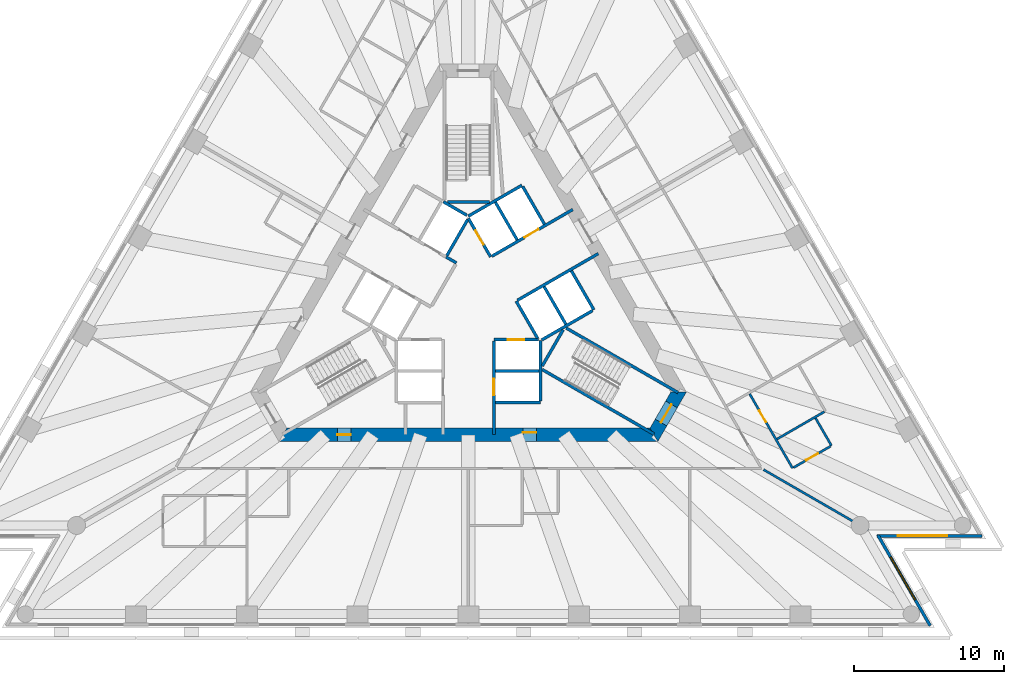
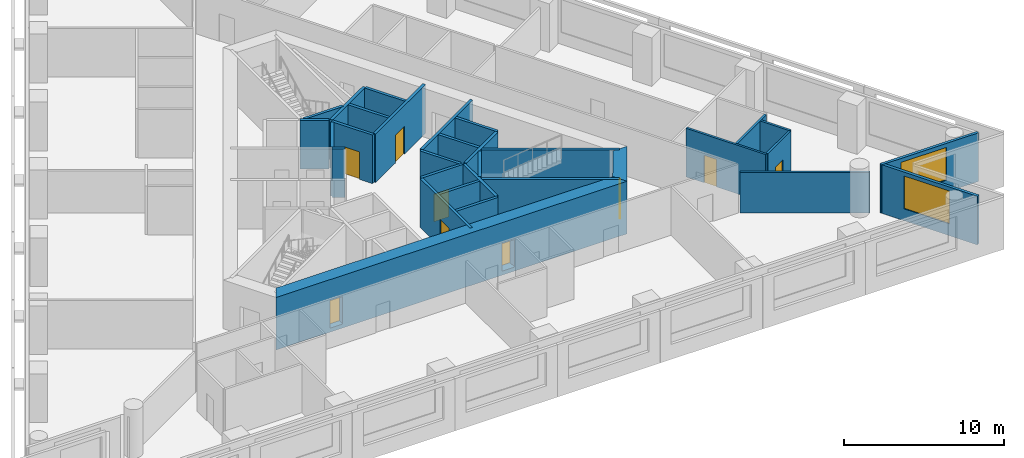
# One storey, part 5 of 11: 31 walls, 9 doors, 2 windows, 11 openings.
"""IFC4 building model written with IfcOpenShell, lengths in metres."""

from ifc_helpers import new_model, si_unit, direction, frame, frame_2d, origin, place, context, subcontext, project, spatial, polyline, rectangle, outline, extrude, material, layer, layer_set, layer_usage, type_object, element, fill, save


model = new_model("IFC4")

# Units and contexts
model_context = context("Model", 3, precision=1e-05, world=origin(), true_north=direction((0.0, 1.0)))
body_context = subcontext(model_context, "Body", "Model", "MODEL_VIEW")
ifc_project = project(units=[si_unit("LENGTHUNIT", "METRE"), si_unit("AREAUNIT", "SQUARE_METRE"), si_unit("VOLUMEUNIT", "CUBIC_METRE"), si_unit("PLANEANGLEUNIT", "RADIAN"), si_unit("MASSUNIT", "GRAM", prefix="KILO")], contexts=[model_context])

# Site, building, storey
site_placement = place(None, origin())
site = spatial("IfcSite", under=ifc_project, at=site_placement, CompositionType="ELEMENT")
building_placement = place(site_placement, origin())
building = spatial("IfcBuilding", under=site, at=building_placement, Name="Triada Interchange Tower", CompositionType="ELEMENT")
storey_placement = place(building_placement, frame((0.0, 0.0, 67.300048828125)))
storey = spatial("IfcBuildingStorey", under=building, at=storey_placement, Name="L14", CompositionType="ELEMENT", Elevation=67.300048828125)

# Walls
ifc_material_1 = material(Name="Concrete C30/37", Category="concrete")
ifc_layer_1 = layer(ifc_material_1, 0.199951171875)
ifc_layer_set_1 = layer_set([ifc_layer_1], Name="CORE WALL 200 EI 120")
wall_type_1 = type_object("IfcWallType", Name="CORE WALL 200 EI 120", PredefinedType="SOLIDWALL", material=ifc_layer_set_1)
wall_1_placement = place(storey_placement, frame((1.800048828125, -4.800048828125, 0.0), z_axis=(0.0, 0.0, 1.0), x_axis=(1.0, 0.0, 0.0)))
element("IfcWall", 1, at=wall_1_placement, inside=storey, type_object=wall_type_1, Name="Wall L12 50", PredefinedType="SOLIDWALL", context=body_context, shape_type="SweptSolid", body=[
    extrude(rectangle(XDim=2.89990234375, YDim=0.199951171875, at=frame_2d((1.449951171875, 0.0))), origin(), (0.0, 0.0, 1.0), 3.699951171875),
])
wall_2_placement = place(storey_placement, frame((1.800048828125, -6.89990234375, 0.0), z_axis=(0.0, 0.0, 1.0), x_axis=(1.0, 0.0, 0.0)))
element("IfcWall", 2, at=wall_2_placement, inside=storey, type_object=wall_type_1, Name="Wall L12 53", PredefinedType="SOLIDWALL", context=body_context, shape_type="SweptSolid", body=[
    extrude(rectangle(XDim=3.0, YDim=0.199951171875, at=frame_2d((1.5, 0.0))), origin(), (0.0, 0.0, 1.0), 3.699951171875),
])

# Wall, opening, door
wall_3_placement = place(storey_placement, frame((1.702880859375, -2.699951171875, 0.0), z_axis=(0.0, 0.0, 1.0), x_axis=(1.0, 0.0, 0.0)))
wall_3 = element("IfcWall", 3, at=wall_3_placement, inside=storey, type_object=wall_type_1, Name="Wall L12 56", PredefinedType="SOLIDWALL", context=body_context, shape_type="SweptSolid", body=[
    extrude(rectangle(XDim=2.97314453125, YDim=0.199951171875, at=frame_2d((1.486572265625, 0.0))), origin(), (0.0, 0.0, 1.0), 3.699951171875),
])
opening_1_placement = place(wall_3_placement, frame((0.93603515625, 0.0, 0.0)))
opening_1 = element("IfcOpeningElement", 4, at=opening_1_placement, cuts=wall_3, Name="Opening LD-LR1", PredefinedType="OPENING", context=body_context, shape_type="SweptSolid", body=[
    extrude(rectangle(XDim=1.10009765625, YDim=2.10009765625, at=frame_2d((0.550048828125, 1.050048828125))), frame((0.0, 0.10986328125, 0.0), z_axis=(0.0, -1.0, 0.0), x_axis=(1.0, 0.0, 0.0)), (0.0, 0.0, 1.0), 0.219970703125),
])
ifc_material_2 = material(Name="Steel S235 door leaf", Category="steel")
door_type_1 = type_object("IfcDoorType", Name="LIFT LANDING DOOR 1100 EI 120", OperationType="SLIDING_TO_LEFT", PredefinedType="DOOR", material=ifc_material_2)
door_1_placement = place(opening_1_placement, origin())
door_1 = element("IfcDoor", 5, at=door_1_placement, inside=storey, type_object=door_type_1, Name="LR1 landing door L14", OperationType="SLIDING_TO_LEFT", OverallHeight=2.10009765625, OverallWidth=1.10009765625, PredefinedType="DOOR", context=body_context, shape_type="SweptSolid", body=[
    extrude(rectangle(XDim=1.10009765625, YDim=2.10009765625, at=frame_2d((0.550048828125, 1.050048828125))), frame((0.0, 0.02490234375, 0.0), z_axis=(0.0, -1.0, 0.0), x_axis=(1.0, 0.0, 0.0)), (0.0, 0.0, 1.0), 0.050048828125),
])
fill(opening_1, door_1)

# Wall
wall_4_placement = place(storey_placement, frame((-0.001953125, 5.541015625, 0.0), z_axis=(0.0, 0.0, 1.0), x_axis=(0.86600155993, 0.500041296494, 0.0)))
element("IfcWall", 6, at=wall_4_placement, inside=storey, type_object=wall_type_1, Name="Wall L12 57", PredefinedType="SOLIDWALL", context=body_context, shape_type="SweptSolid", body=[
    extrude(rectangle(XDim=4.131591796875, YDim=0.199951171875, at=frame_2d((2.06591796875, 0.0))), origin(), (0.0, 0.0, 1.0), 3.699951171875),
])

# Wall, opening, door
wall_5_placement = place(storey_placement, frame((0.0, 5.39990234375, 0.0), z_axis=(0.0, 0.0, 1.0), x_axis=(0.500103862429, -0.865965430478, 0.0)))
wall_5 = element("IfcWall", 7, at=wall_5_placement, inside=storey, type_object=wall_type_1, Name="Wall L12 58", PredefinedType="SOLIDWALL", context=body_context, shape_type="SweptSolid", body=[
    extrude(rectangle(XDim=2.973388671875, YDim=0.199951171875, at=frame_2d((1.48681640625, 0.0))), origin(), (0.0, 0.0, 1.0), 3.699951171875),
])
opening_2_placement = place(wall_5_placement, frame((0.93701171875, 0.0, 0.0)))
opening_2 = element("IfcOpeningElement", 8, at=opening_2_placement, cuts=wall_5, Name="Opening LD-LR5", PredefinedType="OPENING", context=body_context, shape_type="SweptSolid", body=[
    extrude(rectangle(XDim=1.10009765625, YDim=2.10009765625, at=frame_2d((0.550048828125, 1.050048828125))), frame((0.0, 0.10986328125, 0.0), z_axis=(0.0, -1.0, 0.0), x_axis=(1.0, 0.0, 0.0)), (0.0, 0.0, 1.0), 0.219970703125),
])
door_2_placement = place(opening_2_placement, origin())
door_2 = element("IfcDoor", 9, at=door_2_placement, inside=storey, type_object=door_type_1, Name="LR5 landing door L14", OperationType="SLIDING_TO_LEFT", OverallHeight=2.10009765625, OverallWidth=1.10009765625, PredefinedType="DOOR", context=body_context, shape_type="SweptSolid", body=[
    extrude(rectangle(XDim=1.10009765625, YDim=2.10009765625, at=frame_2d((0.550048828125, 1.050048828125))), frame((0.0, 0.02490234375, 0.0), z_axis=(0.0, -1.0, 0.0), x_axis=(1.0, 0.0, 0.0)), (0.0, 0.0, 1.0), 0.050048828125),
])
fill(opening_2, door_2)

# Wall
wall_6_placement = place(storey_placement, frame((3.18994140625, -0.125, 0.0), z_axis=(0.0, 0.0, 1.0), x_axis=(0.499988658015, -0.866031951983, 0.0)))
element("IfcWall", 10, at=wall_6_placement, inside=storey, type_object=wall_type_1, Name="Wall L12 59", PredefinedType="SOLIDWALL", context=body_context, shape_type="SweptSolid", body=[
    extrude(rectangle(XDim=2.85791015625, YDim=0.199951171875, at=frame_2d((1.428955078125, 0.0))), origin(), (0.0, 0.0, 1.0), 3.699951171875),
])

# Wall, opening, door
wall_7_placement = place(storey_placement, frame((1.577880859375, 2.8740234375, 0.0), z_axis=(0.0, 0.0, 1.0), x_axis=(0.866031483044, 0.499989470266, 0.0)))
wall_7 = element("IfcWall", 11, at=wall_7_placement, inside=storey, type_object=wall_type_1, Name="Wall L12 60", PredefinedType="SOLIDWALL", context=body_context, shape_type="SweptSolid", body=[
    extrude(rectangle(XDim=6.226318359375, YDim=0.199951171875, at=frame_2d((3.11328125, 0.0))), origin(), (0.0, 0.0, 1.0), 3.699951171875),
])
opening_3_placement = place(wall_7_placement, frame((2.49609375, 0.0, 0.0)))
opening_3 = element("IfcOpeningElement", 12, at=opening_3_placement, cuts=wall_7, Name="Opening LD-LR6", PredefinedType="OPENING", context=body_context, shape_type="SweptSolid", body=[
    extrude(rectangle(XDim=1.10009765625, YDim=2.10009765625, at=frame_2d((0.550048828125, 1.050048828125))), frame((0.0, 0.10986328125, 0.0), z_axis=(0.0, -1.0, 0.0), x_axis=(1.0, 0.0, 0.0)), (0.0, 0.0, 1.0), 0.219970703125),
])
door_3_placement = place(opening_3_placement, origin())
door_3 = element("IfcDoor", 13, at=door_3_placement, inside=storey, type_object=door_type_1, Name="LR6 landing door L14", OperationType="SLIDING_TO_LEFT", OverallHeight=2.10009765625, OverallWidth=1.10009765625, PredefinedType="DOOR", context=body_context, shape_type="SweptSolid", body=[
    extrude(rectangle(XDim=1.10009765625, YDim=2.10009765625, at=frame_2d((0.550048828125, 1.050048828125))), frame((0.0, 0.02490234375, 0.0), z_axis=(0.0, -1.0, 0.0), x_axis=(1.0, 0.0, 0.0)), (0.0, 0.0, 1.0), 0.050048828125),
])
fill(opening_3, door_3)

wall_8_placement = place(storey_placement, frame((1.699951171875, -9.030029296875, 0.0), z_axis=(0.0, 0.0, 1.0), x_axis=(0.0, 1.0, 0.0)))
wall_8 = element("IfcWall", 14, at=wall_8_placement, inside=storey, type_object=wall_type_1, Name="Wall L12 61", PredefinedType="SOLIDWALL", context=body_context, shape_type="SweptSolid", body=[
    extrude(rectangle(XDim=6.22705078125, YDim=0.199951171875, at=frame_2d((3.113525390625, 0.0))), origin(), (0.0, 0.0, 1.0), 3.699951171875),
])
opening_4_placement = place(wall_8_placement, frame((2.6298828125, 0.0, 0.0)))
opening_4 = element("IfcOpeningElement", 15, at=opening_4_placement, cuts=wall_8, Name="Opening LD-LR2", PredefinedType="OPENING", context=body_context, shape_type="SweptSolid", body=[
    extrude(rectangle(XDim=1.10009765625, YDim=2.10009765625, at=frame_2d((0.550048828125, 1.050048828125))), frame((0.0, 0.10986328125, 0.0), z_axis=(0.0, -1.0, 0.0), x_axis=(1.0, 0.0, 0.0)), (0.0, 0.0, 1.0), 0.219970703125),
])
door_4_placement = place(opening_4_placement, origin())
door_4 = element("IfcDoor", 16, at=door_4_placement, inside=storey, type_object=door_type_1, Name="LR2 landing door L14", OperationType="SLIDING_TO_LEFT", OverallHeight=2.10009765625, OverallWidth=1.10009765625, PredefinedType="DOOR", context=body_context, shape_type="SweptSolid", body=[
    extrude(rectangle(XDim=1.10009765625, YDim=2.10009765625, at=frame_2d((0.550048828125, 1.050048828125))), frame((0.0, 0.02490234375, 0.0), z_axis=(0.0, -1.0, 0.0), x_axis=(1.0, 0.0, 0.0)), (0.0, 0.0, 1.0), 0.050048828125),
])
fill(opening_4, door_4)

# Walls
wall_9_placement = place(storey_placement, frame((4.800048828125, -6.800048828125, 0.0), z_axis=(0.0, 0.0, 1.0), x_axis=(0.0, 1.0, 0.0)))
element("IfcWall", 17, at=wall_9_placement, inside=storey, type_object=wall_type_1, Name="Wall L12 62", PredefinedType="SOLIDWALL", context=body_context, shape_type="SweptSolid", body=[
    extrude(rectangle(XDim=4.029052734375, YDim=0.199951171875, at=frame_2d((2.0146484375, 0.0))), origin(), (0.0, 0.0, 1.0), 3.699951171875),
])
wall_10_placement = place(storey_placement, frame((3.278076171875, -0.071044921875, 0.0), z_axis=(0.0, 0.0, 1.0), x_axis=(0.865953757655, 0.500124074208, 0.0)))
element("IfcWall", 18, at=wall_10_placement, inside=storey, type_object=wall_type_1, Name="Wall L12 63", PredefinedType="SOLIDWALL", context=body_context, shape_type="SweptSolid", body=[
    extrude(rectangle(XDim=6.2265625, YDim=0.199951171875, at=frame_2d((3.11328125, 0.0))), origin(), (0.0, 0.0, 1.0), 3.699951171875),
])
wall_11_placement = place(storey_placement, frame((3.6259765625, 7.52001953125, 0.0), z_axis=(0.0, 0.0, 1.0), x_axis=(0.500060147554, -0.865990674793, 0.0)))
element("IfcWall", 19, at=wall_11_placement, inside=storey, type_object=wall_type_1, Name="Wall L12 64", PredefinedType="SOLIDWALL", context=body_context, shape_type="SweptSolid", body=[
    extrude(rectangle(XDim=2.899658203125, YDim=0.199951171875, at=frame_2d((1.44970703125, 0.0))), origin(), (0.0, 0.0, 1.0), 3.699951171875),
])
wall_12_placement = place(storey_placement, frame((6.8759765625, 1.89111328125, 0.0), z_axis=(0.0, 0.0, 1.0), x_axis=(0.499990139034, -0.866031096941, 0.0)))
element("IfcWall", 20, at=wall_12_placement, inside=storey, type_object=wall_type_1, Name="Wall L12 65", PredefinedType="SOLIDWALL", context=body_context, shape_type="SweptSolid", body=[
    extrude(rectangle(XDim=3.0, YDim=0.199951171875, at=frame_2d((1.5, 0.0))), origin(), (0.0, 0.0, 1.0), 3.699951171875),
])
for number, where, z_axis, x_axis, name in (
    (21, (1.806884765625, 6.469970703125, 0.0), (0.0, 0.0, 1.0), (0.50012328804, -0.865954211699, 0.0), "Wall L12 66"),
    (22, (5.056884765625, 0.841064453125, 0.0), (0.0, 0.0, 1.0), (0.50012328804, -0.865954211699, 0.0), "Wall L12 67"),
):
    element("IfcWall", number, at=place(storey_placement, frame(where, z_axis=z_axis, x_axis=x_axis)), inside=storey, type_object=wall_type_1, Name=name, PredefinedType="SOLIDWALL", context=body_context, shape_type="SweptSolid", body=[
        extrude(rectangle(XDim=2.899658203125, YDim=0.199951171875, at=frame_2d((1.44970703125, 0.0))), origin(), (0.0, 0.0, 1.0), 3.699951171875),
    ])
wall_13_placement = place(storey_placement, frame((4.89990234375, -2.714111328125, 0.0), z_axis=(0.0, 0.0, 1.0), x_axis=(0.865992350556, 0.500057245502, 0.0)))
element("IfcWall", 23, at=wall_13_placement, inside=storey, type_object=wall_type_1, Name="Wall L12 68", PredefinedType="SOLIDWALL", context=body_context, shape_type="SweptSolid", body=[
    extrude(rectangle(XDim=3.91357421875, YDim=0.199951171875, at=frame_2d((1.956787109375, 0.0))), origin(), (0.0, 0.0, 1.0), 3.699951171875),
])
ifc_layer_2 = layer(ifc_material_1, 0.199951171875)
ifc_layer_set_2 = layer_set([ifc_layer_2], Name="CORE WALL 200 EI 180")
wall_type_2 = type_object("IfcWallType", Name="CORE WALL 200 EI 180", PredefinedType="SOLIDWALL", material=ifc_layer_set_2)
wall_14_placement = place(storey_placement, frame((-1.488037109375, 2.822021484375, 0.0), z_axis=(0.0, 0.0, 1.0), x_axis=(0.866236612152, -0.499633997809, 0.0)))
element("IfcWall", 24, at=wall_14_placement, inside=storey, type_object=wall_type_2, Name="Wall L12 72", PredefinedType="SOLIDWALL", context=body_context, shape_type="SweptSolid", body=[
    extrude(rectangle(XDim=0.79638671875, YDim=0.199951171875, at=frame_2d((0.398193359375, 0.0))), origin(), (0.0, 0.0, 1.0), 3.699951171875),
])
wall_15_placement = place(storey_placement, frame((-1.669921875, 6.507080078125, 0.0), z_axis=(0.0, 0.0, 1.0), x_axis=(0.865941441609, -0.500145398563, 0.0)))
element("IfcWall", 25, at=wall_15_placement, inside=storey, type_object=wall_type_2, Name="Shaft wall FF2 L12 82", PredefinedType="SOLIDWALL", context=body_context, shape_type="SweptSolid", body=[
    extrude(rectangle(XDim=1.8154296875, YDim=0.199951171875, at=frame_2d((0.90771484375, 0.0))), origin(), (0.0, 0.0, 1.0), 3.699951171875),
])
wall_16_placement = place(storey_placement, frame((-1.43798828125, 2.908935546875, 0.0), z_axis=(0.0, 0.0, 1.0), x_axis=(0.499829630636, 0.866123744241, 0.0)))
element("IfcWall", 26, at=wall_16_placement, inside=storey, type_object=wall_type_2, Name="Shaft wall FF2 L12 83", PredefinedType="SOLIDWALL", context=body_context, shape_type="SweptSolid", body=[
    extrude(rectangle(XDim=2.7607421875, YDim=0.199951171875, at=frame_2d((1.38037109375, 0.0))), origin(), (0.0, 0.0, 1.0), 3.699951171875),
])
ifc_layer_3 = layer(ifc_material_1, 0.199951171875)
ifc_layer_set_3 = layer_set([ifc_layer_3], Name="CORE WALL 200 REI 240")
wall_type_3 = type_object("IfcWallType", Name="CORE WALL 200 REI 240", PredefinedType="SOLIDWALL", material=ifc_layer_set_3)
wall_17_placement = place(storey_placement, frame((-1.39990234375, 6.5, 0.0), z_axis=(0.0, 0.0, 1.0), x_axis=(1.0, 0.0, 0.0)))
element("IfcWall", 27, at=wall_17_placement, inside=storey, type_object=wall_type_3, Name="Wall L12 91", PredefinedType="SOLIDWALL", context=body_context, shape_type="SweptSolid", body=[
    extrude(rectangle(XDim=2.7998046875, YDim=0.199951171875, at=frame_2d((1.39990234375, 0.0))), origin(), (0.0, 0.0, 1.0), 3.699951171875),
])
wall_18_placement = place(storey_placement, frame((4.928955078125, -4.693115234375, 0.0), z_axis=(0.0, 0.0, 1.0), x_axis=(0.866010975815, -0.500024989144, 0.0)))
element("IfcWall", 28, at=wall_18_placement, inside=storey, type_object=wall_type_3, Name="Wall L12 93", PredefinedType="SOLIDWALL", context=body_context, shape_type="SweptSolid", body=[
    extrude(rectangle(XDim=8.615234375, YDim=0.199951171875, at=frame_2d((4.3076171875, 0.0))), origin(), (0.0, 0.0, 1.0), 3.699951171875),
])
wall_19_placement = place(storey_placement, frame((4.928955078125, -4.4619140625, 0.0), z_axis=(0.0, 0.0, 1.0), x_axis=(0.500200581029, 0.865909567298, 0.0)))
element("IfcWall", 29, at=wall_19_placement, inside=storey, type_object=wall_type_3, Name="Wall L12 94", PredefinedType="SOLIDWALL", context=body_context, shape_type="SweptSolid", body=[
    extrude(rectangle(XDim=2.799072265625, YDim=0.199951171875, at=frame_2d((1.3994140625, 0.0))), origin(), (0.0, 0.0, 1.0), 3.699951171875),
])
wall_20_placement = place(storey_placement, frame((6.529052734375, -1.922119140625, 0.0), z_axis=(0.0, 0.0, 1.0), x_axis=(0.866060059011, -0.499939970583, 0.0)))
element("IfcWall", 30, at=wall_20_placement, inside=storey, type_object=wall_type_3, Name="Wall L12 95", PredefinedType="SOLIDWALL", context=body_context, shape_type="SweptSolid", body=[
    extrude(rectangle(XDim=8.61474609375, YDim=0.199951171875, at=frame_2d((4.307373046875, 0.0))), origin(), (0.0, 0.0, 1.0), 3.699951171875),
])

# Wall, openings, doors
ifc_material_3 = material(Name="Concrete C70/85", Category="concrete")
ifc_layer_4 = layer(ifc_material_3, 0.89990234375)
ifc_layer_set_4 = layer_set([ifc_layer_4], Name="Core wall A 900")
wall_type_4 = type_object("IfcWallType", Name="Core wall A 900", PredefinedType="SHEAR", material=ifc_layer_set_4)
wall_21_placement = place(storey_placement, frame((-12.384033203125, -9.050048828125, -0.300048828125), z_axis=(0.0, 0.0, 1.0), x_axis=(1.0, 0.0, 0.0)))
wall_21 = element("IfcWall", 31, at=wall_21_placement, inside=storey, type_object=wall_type_4, Name="Core wall WA04 L14", PredefinedType="SHEAR", context=body_context, shape_type="SweptSolid", body=[
    extrude(outline(polyline([(-0.260009765625, -0.449951171875), (1.685302734375, -0.449951171875), (3.63037109375, -0.449951171875), (5.57568359375, -0.449951171875), (7.52099609375, -0.449951171875), (9.466064453125, -0.449951171875), (11.411376953125, -0.449951171875), (13.356689453125, -0.449951171875), (15.302001953125, -0.449951171875), (17.2470703125, -0.449951171875), (19.1923828125, -0.449951171875), (21.1376953125, -0.449951171875), (23.082763671875, -0.449951171875), (25.028076171875, -0.449951171875), (24.508056640625, 0.449951171875), (22.642822265625, 0.449951171875), (20.777587890625, 0.449951171875), (18.912353515625, 0.449951171875), (17.047119140625, 0.449951171875), (15.181884765625, 0.449951171875), (13.316650390625, 0.449951171875), (11.451416015625, 0.449951171875), (9.586181640625, 0.449951171875), (7.720947265625, 0.449951171875), (5.855712890625, 0.449951171875), (3.990478515625, 0.449951171875), (2.125244140625, 0.449951171875), (0.260009765625, 0.449951171875), (-0.260009765625, -0.449951171875)])), origin(), (0.0, 0.0, 1.0), 4.0),
])
opening_5_placement = place(wall_21_placement, frame((3.636962890625, 0.0, 0.300048828125)))
opening_5 = element("IfcOpeningElement", 32, at=opening_5_placement, cuts=wall_21, Name="Opening D12-46", PredefinedType="OPENING", context=body_context, shape_type="SweptSolid", body=[
    extrude(rectangle(XDim=0.89990234375, YDim=2.10009765625, at=frame_2d((0.449951171875, 1.050048828125))), frame((0.0, 0.4599609375, 0.0), z_axis=(0.0, -1.0, 0.0), x_axis=(1.0, 0.0, 0.0)), (0.0, 0.0, 1.0), 0.919921875),
])
opening_6_placement = place(wall_21_placement, frame((16.02197265625, 0.0, 0.300048828125)))
opening_6 = element("IfcOpeningElement", 33, at=opening_6_placement, cuts=wall_21, Name="Opening D12-47", PredefinedType="OPENING", context=body_context, shape_type="SweptSolid", body=[
    extrude(rectangle(XDim=0.89990234375, YDim=2.10009765625, at=frame_2d((0.449951171875, 1.050048828125))), frame((0.0, 0.4599609375, 0.0), z_axis=(0.0, -1.0, 0.0), x_axis=(1.0, 0.0, 0.0)), (0.0, 0.0, 1.0), 0.919921875),
])
door_type_2 = type_object("IfcDoorType", Name="RISER ACCESS DOOR 900 EI2 45-C5S200", OperationType="NOTDEFINED", PredefinedType="DOOR", material=ifc_material_2)
door_5_placement = place(opening_5_placement, origin())
door_5 = element("IfcDoor", 34, at=door_5_placement, inside=storey, type_object=door_type_2, Name="Door D12-46 L14", OperationType="SINGLE_SWING_LEFT", OverallHeight=2.10009765625, OverallWidth=0.89990234375, PredefinedType="DOOR", context=body_context, shape_type="SweptSolid", body=[
    extrude(rectangle(XDim=0.89990234375, YDim=2.10009765625, at=frame_2d((0.449951171875, 1.050048828125))), frame((0.0, 0.02490234375, 0.0), z_axis=(0.0, -1.0, 0.0), x_axis=(1.0, 0.0, 0.0)), (0.0, 0.0, 1.0), 0.050048828125),
])
fill(opening_5, door_5)
door_type_3 = type_object("IfcDoorType", Name="SERVICE DOOR 900 EI2 45-C5S200", OperationType="NOTDEFINED", PredefinedType="DOOR", material=ifc_material_2)
door_6_placement = place(opening_6_placement, origin())
door_6 = element("IfcDoor", 35, at=door_6_placement, inside=storey, type_object=door_type_3, Name="Door D12-47 L14", OperationType="SINGLE_SWING_LEFT", OverallHeight=2.10009765625, OverallWidth=0.89990234375, PredefinedType="DOOR", context=body_context, shape_type="SweptSolid", body=[
    extrude(rectangle(XDim=0.89990234375, YDim=2.10009765625, at=frame_2d((0.449951171875, 1.050048828125))), frame((0.0, 0.1748046875, 0.0), z_axis=(0.0, -1.0, 0.0), x_axis=(1.0, 0.0, 0.0)), (0.0, 0.0, 1.0), 0.050048828125),
])
fill(opening_6, door_6)

# Wall, opening, door
wall_22_placement = place(storey_placement, frame((12.384033203125, -9.050048828125, -0.300048828125), z_axis=(0.0, 0.0, 1.0), x_axis=(0.500111984565, 0.865960739811, 0.0)))
wall_22 = element("IfcWall", 36, at=wall_22_placement, inside=storey, type_object=wall_type_4, Name="Core wall WA05 L14", PredefinedType="SHEAR", context=body_context, shape_type="SweptSolid", body=[
    extrude(outline(polyline([(-0.260009765625, -0.449951171875), (1.6455078125, -0.449462890625), (3.551025390625, -0.448974609375), (3.031005859375, 0.449951171875), (1.6455078125, 0.449951171875), (0.260009765625, 0.449951171875), (-0.260009765625, -0.449951171875)])), origin(), (0.0, 0.0, 1.0), 4.0),
])
opening_7_placement = place(wall_22_placement, frame((0.946044921875, 0.0, 0.300048828125)))
opening_7 = element("IfcOpeningElement", 37, at=opening_7_placement, cuts=wall_22, Name="Opening D12-43", PredefinedType="OPENING", context=body_context, shape_type="SweptSolid", body=[
    extrude(rectangle(XDim=1.39990234375, YDim=2.10009765625, at=frame_2d((0.699951171875, 1.050048828125))), frame((0.0, 0.4599609375, 0.0), z_axis=(0.0, -1.0, 0.0), x_axis=(1.0, 0.0, 0.0)), (0.0, 0.0, 1.0), 0.919921875),
])
door_type_4 = type_object("IfcDoorType", Name="STAIR DOOR 1400 EI2 90-C5S200", OperationType="DOUBLE_DOOR_SINGLE_SWING", PredefinedType="DOOR", material=ifc_material_2)
door_7_placement = place(opening_7_placement, origin())
door_7 = element("IfcDoor", 38, at=door_7_placement, inside=storey, type_object=door_type_4, Name="Door D12-43 L14", OperationType="DOUBLE_DOOR_SINGLE_SWING", OverallHeight=2.10009765625, OverallWidth=1.39990234375, PredefinedType="DOOR", context=body_context, shape_type="SweptSolid", body=[
    extrude(rectangle(XDim=1.39990234375, YDim=2.10009765625, at=frame_2d((0.699951171875, 1.050048828125))), frame((0.0, 0.02490234375, 0.0), z_axis=(0.0, -1.0, 0.0), x_axis=(1.0, 0.0, 0.0)), (0.0, 0.0, 1.0), 0.050048828125),
])
fill(opening_7, door_7)

# Wall, opening, window
ifc_material_4 = material(Name="Cement board")
ifc_layer_5 = layer(ifc_material_4, 0.02001953125, Name="Cement board cladding")
ifc_material_5 = material(Name="Sheathing board")
ifc_layer_6 = layer(ifc_material_5, 0.014892578125, Name="Sheathing board")
ifc_material_6 = material(Name="Mineral wool")
ifc_layer_7 = layer(ifc_material_6, 0.14990234375, Name="Mineral wool between steel studs")
ifc_material_7 = material(Name="Gypsum board")
ifc_layer_8 = layer(ifc_material_7, 0.014892578125, Name="Plasterboard lining")
ifc_layer_set_5 = layer_set([ifc_layer_5, ifc_layer_6, ifc_layer_7, ifc_layer_8], Name="External wall 200")
ifc_layer_usage = layer_usage(ifc_layer_set_5, "AXIS2", "POSITIVE", -0.10009765625)
wall_type_5 = type_object("IfcWallType", Name="External wall 200", PredefinedType="ELEMENTEDWALL", material=ifc_layer_set_5)
wall_23_placement = place(storey_placement, frame((30.823974609375, -21.79296875, 0.0), z_axis=(0.0, 0.0, 1.0), x_axis=(-0.499969272857, 0.866043143382, 0.0)))
wall_23 = element("IfcWall", 39, at=wall_23_placement, inside=storey, type_object=wall_type_5, material=ifc_layer_usage, Name="External wall L14 SE-1", PredefinedType="ELEMENTEDWALL", context=body_context, shape_type="SweptSolid", body=[
    extrude(rectangle(XDim=6.99267578125, YDim=0.199951171875, at=frame_2d((3.496337890625, 0.0))), origin(), (0.0, 0.0, 1.0), 3.699951171875),
])
opening_8_placement = place(wall_23_placement, frame((1.989990234375, 0.0, 0.89990234375)))
opening_8 = element("IfcOpeningElement", 40, at=opening_8_placement, cuts=wall_23, Name="Opening WA19", PredefinedType="OPENING", context=body_context, shape_type="SweptSolid", body=[
    extrude(rectangle(XDim=3.300048828125, YDim=2.5, at=frame_2d((1.64990234375, 1.25))), frame((0.0, 0.10986328125, 0.0), z_axis=(0.0, -1.0, 0.0), x_axis=(1.0, 0.0, 0.0)), (0.0, 0.0, 1.0), 0.219970703125),
])
ifc_material_8 = material(Name="Double glazed aluminium window", Category="aluminium")
window_type = type_object("IfcWindowType", Name="Ribbon window A pocket", PartitioningType="SINGLE_PANEL", PredefinedType="WINDOW", material=ifc_material_8)
window_1_placement = place(opening_8_placement, origin())
window_1 = element("IfcWindow", 41, at=window_1_placement, inside=storey, type_object=window_type, Name="Window L14 SE-1 1", OverallHeight=2.5, OverallWidth=3.300048828125, PartitioningType="SINGLE_PANEL", PredefinedType="WINDOW", context=body_context, shape_type="SweptSolid", body=[
    extrude(rectangle(XDim=3.300048828125, YDim=2.5, at=frame_2d((1.64990234375, 1.25))), frame((0.0, 0.030029296875, 0.0), z_axis=(0.0, -1.0, 0.0), x_axis=(1.0, 0.0, 0.0)), (0.0, 0.0, 1.0), 0.06005859375),
])
fill(opening_8, window_1)

wall_24_placement = place(storey_placement, frame((27.27294921875, -15.798095703125, 0.0), z_axis=(0.0, 0.0, 1.0), x_axis=(1.0, 0.0, 0.0)))
wall_24 = element("IfcWall", 42, at=wall_24_placement, inside=storey, type_object=wall_type_5, material=ifc_layer_usage, Name="External wall L14 SE-2", PredefinedType="ELEMENTEDWALL", context=body_context, shape_type="SweptSolid", body=[
    extrude(rectangle(XDim=6.9931640625, YDim=0.199951171875, at=frame_2d((3.49658203125, 0.0))), origin(), (0.0, 0.0, 1.0), 3.699951171875),
])
opening_9_placement = place(wall_24_placement, frame((1.389892578125, 0.0, 0.89990234375)))
opening_9 = element("IfcOpeningElement", 43, at=opening_9_placement, cuts=wall_24, Name="Opening WA20", PredefinedType="OPENING", context=body_context, shape_type="SweptSolid", body=[
    extrude(rectangle(XDim=3.300048828125, YDim=2.5, at=frame_2d((1.64990234375, 1.25))), frame((0.0, 0.10986328125, 0.0), z_axis=(0.0, -1.0, 0.0), x_axis=(1.0, 0.0, 0.0)), (0.0, 0.0, 1.0), 0.219970703125),
])
window_2_placement = place(opening_9_placement, origin())
window_2 = element("IfcWindow", 44, at=window_2_placement, inside=storey, type_object=window_type, Name="Window L14 SE-2 1", OverallHeight=2.5, OverallWidth=3.300048828125, PartitioningType="SINGLE_PANEL", PredefinedType="WINDOW", context=body_context, shape_type="SweptSolid", body=[
    extrude(rectangle(XDim=3.300048828125, YDim=2.5, at=frame_2d((1.64990234375, 1.25))), frame((0.0, 0.030029296875, 0.0), z_axis=(0.0, -1.0, 0.0), x_axis=(1.0, 0.0, 0.0)), (0.0, 0.0, 1.0), 0.06005859375),
])
fill(opening_9, window_2)

# Walls
ifc_material_9 = material(Name="Gypsum board partition")
ifc_layer_9 = layer(ifc_material_9, 0.14990234375)
ifc_layer_set_6 = layer_set([ifc_layer_9], Name="PARTITION 150 EI 180")
wall_type_6 = type_object("IfcWallType", Name="PARTITION 150 EI 180", PredefinedType="PARTITIONING", material=ifc_layer_set_6)
wall_25_placement = place(storey_placement, frame((19.701904296875, -11.3740234375, 0.0), z_axis=(0.0, 0.0, 1.0), x_axis=(0.866050014035, -0.499957371373, 0.0)))
element("IfcWall", 45, at=wall_25_placement, inside=storey, type_object=wall_type_6, Name="Wall L12 7", PredefinedType="PARTITIONING", context=body_context, shape_type="SweptSolid", body=[
    extrude(rectangle(XDim=8.066650390625, YDim=0.14990234375, at=frame_2d((4.033203125, 0.0))), origin(), (0.0, 0.0, 1.0), 3.099853515625),
])
ifc_layer_10 = layer(ifc_material_9, 0.14990234375)
ifc_layer_set_7 = layer_set([ifc_layer_10], Name="PARTITION 150 EI 90")
wall_type_7 = type_object("IfcWallType", Name="PARTITION 150 EI 90", PredefinedType="PARTITIONING", material=ifc_layer_set_7)
wall_26_placement = place(storey_placement, frame((23.172119140625, -7.93505859375, 0.0), z_axis=(0.0, 0.0, 1.0), x_axis=(0.500266112279, -0.865871709265, 0.0)))
element("IfcWall", 46, at=wall_26_placement, inside=storey, type_object=wall_type_7, Name="Wall L12 38", PredefinedType="PARTITIONING", context=body_context, shape_type="SweptSolid", body=[
    extrude(rectangle(XDim=2.124755859375, YDim=0.14990234375, at=frame_2d((1.0625, 0.0))), origin(), (0.0, 0.0, 1.0), 3.699951171875),
])

# Wall, opening, door
wall_27_placement = place(storey_placement, frame((18.77392578125, -6.31689453125, 0.0), z_axis=(0.0, 0.0, 1.0), x_axis=(0.499941490393, -0.866059181686, 0.0)))
wall_27 = element("IfcWall", 47, at=wall_27_placement, inside=storey, type_object=wall_type_7, Name="Wall L12 41", PredefinedType="PARTITIONING", context=body_context, shape_type="SweptSolid", body=[
    extrude(rectangle(XDim=5.724853515625, YDim=0.14990234375, at=frame_2d((2.8623046875, 0.0))), origin(), (0.0, 0.0, 1.0), 3.699951171875),
])
opening_10_placement = place(wall_27_placement, frame((1.27490234375, 0.0, 0.0)))
opening_10 = element("IfcOpeningElement", 48, at=opening_10_placement, cuts=wall_27, Name="Opening D12-21", PredefinedType="OPENING", context=body_context, shape_type="SweptSolid", body=[
    extrude(rectangle(XDim=0.89990234375, YDim=2.10009765625, at=frame_2d((0.449951171875, 1.050048828125))), frame((0.0, 0.0849609375, 0.0), z_axis=(0.0, -1.0, 0.0), x_axis=(1.0, 0.0, 0.0)), (0.0, 0.0, 1.0), 0.169921875),
])
door_type_5 = type_object("IfcDoorType", Name="ROOM DOOR 900 EI2 45-C5S200", OperationType="NOTDEFINED", PredefinedType="DOOR", material=ifc_material_2)
door_8_placement = place(opening_10_placement, origin())
door_8 = element("IfcDoor", 49, at=door_8_placement, inside=storey, type_object=door_type_5, Name="Door D12-21 L14", OperationType="SINGLE_SWING_LEFT", OverallHeight=2.10009765625, OverallWidth=0.89990234375, PredefinedType="DOOR", context=body_context, shape_type="SweptSolid", body=[
    extrude(rectangle(XDim=0.89990234375, YDim=2.10009765625, at=frame_2d((0.449951171875, 1.050048828125))), frame((0.0, 0.02490234375, 0.0), z_axis=(0.0, -1.0, 0.0), x_axis=(1.0, 0.0, 0.0)), (0.0, 0.0, 1.0), 0.050048828125),
])
fill(opening_10, door_8)

# Wall
wall_28_placement = place(storey_placement, frame((20.60107421875, -9.3330078125, 0.0), z_axis=(0.0, 0.0, 1.0), x_axis=(0.866024069551, 0.500002310952, 0.0)))
element("IfcWall", 50, at=wall_28_placement, inside=storey, type_object=wall_type_7, Name="Wall L12 45", PredefinedType="PARTITIONING", context=body_context, shape_type="SweptSolid", body=[
    extrude(rectangle(XDim=3.64990234375, YDim=0.14990234375, at=frame_2d((1.824951171875, 0.0))), origin(), (0.0, 0.0, 1.0), 3.699951171875),
])

# Wall, opening, door
wall_29_placement = place(storey_placement, frame((21.700927734375, -11.238037109375, 0.0), z_axis=(0.0, 0.0, 1.0), x_axis=(0.866090043625, 0.499888023795, 0.0)))
wall_29 = element("IfcWall", 51, at=wall_29_placement, inside=storey, type_object=wall_type_7, Name="Wall L12 46", PredefinedType="PARTITIONING", context=body_context, shape_type="SweptSolid", body=[
    extrude(rectangle(XDim=2.850830078125, YDim=0.14990234375, at=frame_2d((1.42529296875, 0.0))), origin(), (0.0, 0.0, 1.0), 3.699951171875),
])
opening_11_placement = place(wall_29_placement, frame((0.97509765625, 0.0, 0.0)))
opening_11 = element("IfcOpeningElement", 52, at=opening_11_placement, cuts=wall_29, Name="Opening D12-22", PredefinedType="OPENING", context=body_context, shape_type="SweptSolid", body=[
    extrude(rectangle(XDim=0.89990234375, YDim=2.10009765625, at=frame_2d((0.449951171875, 1.050048828125))), frame((0.0, 0.0849609375, 0.0), z_axis=(0.0, -1.0, 0.0), x_axis=(1.0, 0.0, 0.0)), (0.0, 0.0, 1.0), 0.169921875),
])
door_9_placement = place(opening_11_placement, origin())
door_9 = element("IfcDoor", 53, at=door_9_placement, inside=storey, type_object=door_type_3, Name="Door D12-22 L14", OperationType="SINGLE_SWING_LEFT", OverallHeight=2.10009765625, OverallWidth=0.89990234375, PredefinedType="DOOR", context=body_context, shape_type="SweptSolid", body=[
    extrude(rectangle(XDim=0.89990234375, YDim=2.10009765625, at=frame_2d((0.449951171875, 1.050048828125))), frame((0.0, 0.02490234375, 0.0), z_axis=(0.0, -1.0, 0.0), x_axis=(1.0, 0.0, 0.0)), (0.0, 0.0, 1.0), 0.050048828125),
])
fill(opening_11, door_9)

save(model, "model.ifc")
